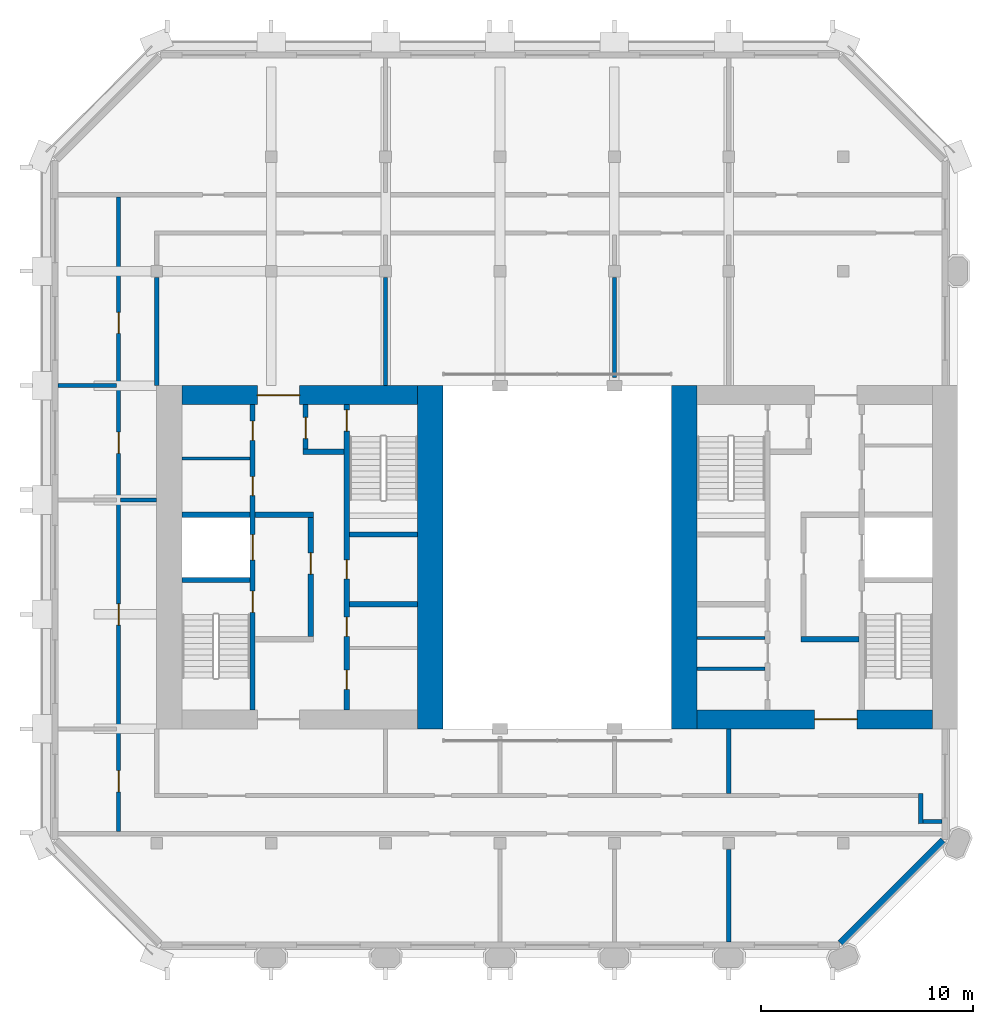
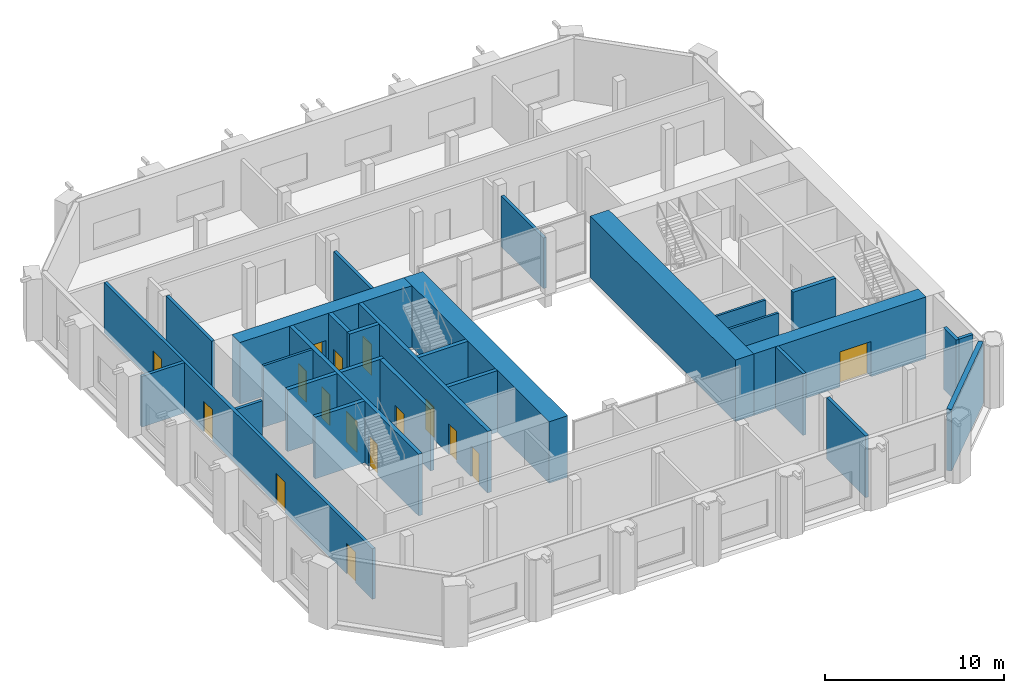
# One storey, part 7 of 12: 29 walls, 16 doors, 16 openings.
"""IFC4 building model written with IfcOpenShell, lengths in metres."""

from ifc_helpers import new_model, si_unit, direction, frame, frame_2d, origin, place, context, subcontext, project, spatial, polyline, rectangle, outline, extrude, material, layer, layer_set, type_object, element, fill, save


model = new_model("IFC4")

# Units and contexts
model_context = context("Model", 3, precision=1e-05, world=origin(), true_north=direction((0.0, 1.0)))
body_context = subcontext(model_context, "Body", "Model", "MODEL_VIEW")
ifc_project = project(units=[si_unit("LENGTHUNIT", "METRE"), si_unit("AREAUNIT", "SQUARE_METRE"), si_unit("VOLUMEUNIT", "CUBIC_METRE"), si_unit("PLANEANGLEUNIT", "RADIAN"), si_unit("MASSUNIT", "GRAM", prefix="KILO")], contexts=[model_context])

# Site, building, storey
site_placement = place(None, origin())
site = spatial("IfcSite", under=ifc_project, at=site_placement, CompositionType="ELEMENT")
building_placement = place(site_placement, origin())
building = spatial("IfcBuilding", under=site, at=building_placement, Name="Tabaq Tower and Sports Hall", CompositionType="ELEMENT")
storey_placement = place(building_placement, frame((0.0, 0.0, 317.199951171875)))
storey = spatial("IfcBuildingStorey", under=building, at=storey_placement, Name="L79", CompositionType="ELEMENT", Elevation=317.199951171875)

# Walls
ifc_material_1 = material(Name="Blockwork", Category="masonry")
ifc_layer_1 = layer(ifc_material_1, 0.14990234375)
ifc_layer_set_1 = layer_set([ifc_layer_1], Name="Core room partition 150 Blockwork")
wall_type_1 = type_object("IfcWallType", Name="Core room partition 150 Blockwork", PredefinedType="PARTITIONING", material=ifc_layer_set_1)
wall_1_placement = place(storey_placement, frame((6.60009765625, 28.962890625, 0.0), z_axis=(0.0, 0.0, 1.0), x_axis=(1.0, 0.0, 0.0)))
element("IfcWall", 1, at=wall_1_placement, inside=storey, type_object=wall_type_1, Name="Core room partition W L79", PredefinedType="PARTITIONING", context=body_context, shape_type="SweptSolid", body=[
    extrude(rectangle(XDim=3.199951171875, YDim=0.14990234375, at=frame_2d((1.60009765625, 0.0))), origin(), (0.0, 0.0, 1.0), 4.199951171875),
])
for number, where, z_axis, x_axis, name in (
    (2, (30.89990234375, 19.0400390625, 0.0), (0.0, 0.0, 1.0), (1.0, 0.0, 0.0), "Core room partition E L79"),
    (3, (30.89990234375, 20.4951171875, 0.0), (0.0, 0.0, 1.0), (1.0, 0.0, 0.0), "Core room partition E L79"),
):
    element("IfcWall", number, at=place(storey_placement, frame(where, z_axis=z_axis, x_axis=x_axis)), inside=storey, type_object=wall_type_1, Name=name, PredefinedType="PARTITIONING", context=body_context, shape_type="SweptSolid", body=[
        extrude(rectangle(XDim=3.2001953125, YDim=0.14990234375, at=frame_2d((1.60009765625, 0.0))), origin(), (0.0, 0.0, 1.0), 4.199951171875),
    ])
ifc_material_2 = material(Name="Concrete C40/50", Category="concrete")
ifc_layer_2 = layer(ifc_material_2, 1.199951171875)
ifc_layer_set_2 = layer_set([ifc_layer_2], Name="Core wall 1200 Concrete C40/50")
wall_type_2 = type_object("IfcWallType", Name="Core wall 1200 Concrete C40/50", PredefinedType="SOLIDWALL", material=ifc_layer_set_2)
for number, where, z_axis, x_axis, name in (
    (4, (18.300048828125, 32.39990234375, 0.0), (0.0, 0.0, 1.0), (0.0, -1.0, 0.0), "Core wall W L79"),
    (5, (30.300048828125, 16.199951171875, 0.0), (0.0, 0.0, 1.0), (0.0, 1.0, 0.0), "Core wall E L79"),
):
    element("IfcWall", number, at=place(storey_placement, frame(where, z_axis=z_axis, x_axis=x_axis)), inside=storey, type_object=wall_type_2, Name=name, PredefinedType="SOLIDWALL", context=body_context, shape_type="SweptSolid", body=[
        extrude(rectangle(XDim=16.199951171875, YDim=1.199951171875, at=frame_2d((8.10009765625, 0.0))), origin(), (0.0, 0.0, 1.0), 4.199951171875),
    ])

# Wall, opening, door
ifc_material_3 = material(Name="Concrete C40/50", Category="concrete")
ifc_layer_3 = layer(ifc_material_3, 0.89990234375)
ifc_layer_set_3 = layer_set([ifc_layer_3], Name="Core wall 900 Concrete C40/50")
wall_type_3 = type_object("IfcWallType", Name="Core wall 900 Concrete C40/50", PredefinedType="SOLIDWALL", material=ifc_layer_set_3)
wall_2_placement = place(storey_placement, frame((6.60009765625, 31.949951171875, 0.0), z_axis=(0.0, 0.0, 1.0), x_axis=(1.0, 0.0, 0.0)))
wall_2 = element("IfcWall", 6, at=wall_2_placement, inside=storey, type_object=wall_type_3, Name="Core wall W L79", PredefinedType="SOLIDWALL", context=body_context, shape_type="SweptSolid", body=[
    extrude(rectangle(XDim=11.099853515625, YDim=0.89990234375, at=frame_2d((5.5498046875, 0.0))), origin(), (0.0, 0.0, 1.0), 4.199951171875),
])
opening_1_placement = place(wall_2_placement, frame((3.550048828125, 0.0, 0.0)))
opening_1 = element("IfcOpeningElement", 7, at=opening_1_placement, cuts=wall_2, Name="Opening PD-WL79-02", PredefinedType="OPENING", context=body_context, shape_type="SweptSolid", body=[
    extrude(rectangle(XDim=2.0, YDim=2.39990234375, at=frame_2d((1.0, 1.199951171875))), frame((0.0, 0.449951171875, 0.0), z_axis=(0.0, -1.0, 0.0), x_axis=(1.0, 0.0, 0.0)), (0.0, 0.0, 1.0), 0.89990234375),
])
ifc_material_4 = material(Name="Steel fire door", Category="steel")
door_type_1 = type_object("IfcDoorType", Name="Core entrance door 2000", OperationType="DOUBLE_DOOR_SINGLE_SWING", PredefinedType="DOOR", material=ifc_material_4)
door_1_placement = place(opening_1_placement, origin())
door_1 = element("IfcDoor", 8, at=door_1_placement, inside=storey, type_object=door_type_1, Name="Core entrance north W L79", OperationType="DOUBLE_DOOR_SINGLE_SWING", OverallHeight=2.39990234375, OverallWidth=2.0, PredefinedType="DOOR", context=body_context, shape_type="SweptSolid", body=[
    extrude(rectangle(XDim=2.0, YDim=2.39990234375, at=frame_2d((1.0, 1.199951171875))), frame((0.0, 0.02490234375, 0.0), z_axis=(0.0, -1.0, 0.0), x_axis=(1.0, 0.0, 0.0)), (0.0, 0.0, 1.0), 0.050048828125),
])
fill(opening_1, door_1)

wall_3_placement = place(storey_placement, frame((42.0, 16.64990234375, 0.0), z_axis=(0.0, 0.0, 1.0), x_axis=(-1.0, 0.0, 0.0)))
wall_3 = element("IfcWall", 9, at=wall_3_placement, inside=storey, type_object=wall_type_3, Name="Core wall E L79", PredefinedType="SOLIDWALL", context=body_context, shape_type="SweptSolid", body=[
    extrude(rectangle(XDim=11.10009765625, YDim=0.89990234375, at=frame_2d((5.550048828125, 0.0))), origin(), (0.0, 0.0, 1.0), 4.199951171875),
])
opening_2_placement = place(wall_3_placement, frame((3.550048828125, 0.0, 0.0)))
opening_2 = element("IfcOpeningElement", 10, at=opening_2_placement, cuts=wall_3, Name="Opening PD-EL79-01", PredefinedType="OPENING", context=body_context, shape_type="SweptSolid", body=[
    extrude(rectangle(XDim=2.0, YDim=2.39990234375, at=frame_2d((1.0, 1.199951171875))), frame((0.0, 0.449951171875, 0.0), z_axis=(0.0, -1.0, 0.0), x_axis=(1.0, 0.0, 0.0)), (0.0, 0.0, 1.0), 0.89990234375),
])
door_2_placement = place(opening_2_placement, origin())
door_2 = element("IfcDoor", 11, at=door_2_placement, inside=storey, type_object=door_type_1, Name="Core entrance south E L79", OperationType="DOUBLE_DOOR_SINGLE_SWING", OverallHeight=2.39990234375, OverallWidth=2.0, PredefinedType="DOOR", context=body_context, shape_type="SweptSolid", body=[
    extrude(rectangle(XDim=2.0, YDim=2.39990234375, at=frame_2d((1.0, 1.199951171875))), frame((0.0, 0.02490234375, 0.0), z_axis=(0.0, -1.0, 0.0), x_axis=(1.0, 0.0, 0.0)), (0.0, 0.0, 1.0), 0.050048828125),
])
fill(opening_2, door_2)

# Walls
ifc_material_5 = material(Name="Blockwork", Category="masonry")
ifc_layer_4 = layer(ifc_material_5, 0.199951171875)
ifc_layer_set_4 = layer_set([ifc_layer_4], Name="Fire compartment wall 200 Blockwork")
wall_type_4 = type_object("IfcWallType", Name="Fire compartment wall 200 Blockwork", PredefinedType="PARTITIONING", material=ifc_layer_set_4)
wall_4_placement = place(storey_placement, frame((0.7509765625, 32.39990234375, 0.0), z_axis=(0.0, 0.0, 1.0), x_axis=(1.0, 0.0, 0.0)))
element("IfcWall", 12, at=wall_4_placement, inside=storey, type_object=wall_type_4, Name="Compartment wall L79", PredefinedType="PARTITIONING", context=body_context, shape_type="SweptSolid", body=[
    extrude(rectangle(XDim=2.7490234375, YDim=0.199951171875, at=frame_2d((1.37451171875, 0.0))), origin(), (0.0, 0.0, 1.0), 3.449951171875),
])
wall_5_placement = place(storey_placement, frame((27.0, 37.5048828125, 0.0), z_axis=(0.0, 0.0, 1.0), x_axis=(0.0, -1.0, 0.0)))
element("IfcWall", 13, at=wall_5_placement, inside=storey, type_object=wall_type_4, Name="Compartment wall L79", PredefinedType="PARTITIONING", context=body_context, shape_type="SweptSolid", body=[
    extrude(rectangle(XDim=4.73486328125, YDim=0.199951171875, at=frame_2d((2.367431640625, 0.0))), origin(), (0.0, 0.0, 1.0), 3.449951171875),
])
wall_6_placement = place(storey_placement, frame((16.199951171875, 37.5048828125, 0.0), z_axis=(0.0, 0.0, 1.0), x_axis=(0.0, -1.0, 0.0)))
element("IfcWall", 14, at=wall_6_placement, inside=storey, type_object=wall_type_4, Name="Compartment wall L79", PredefinedType="PARTITIONING", context=body_context, shape_type="SweptSolid", body=[
    extrude(rectangle(XDim=5.10498046875, YDim=0.199951171875, at=frame_2d((2.552490234375, 0.0))), origin(), (0.0, 0.0, 1.0), 3.449951171875),
])
wall_7_placement = place(storey_placement, frame((5.39990234375, 37.5048828125, 0.0), z_axis=(0.0, 0.0, 1.0), x_axis=(0.0, -1.0, 0.0)))
element("IfcWall", 15, at=wall_7_placement, inside=storey, type_object=wall_type_4, Name="Compartment wall L79", PredefinedType="PARTITIONING", context=body_context, shape_type="SweptSolid", body=[
    extrude(rectangle(XDim=5.10498046875, YDim=0.199951171875, at=frame_2d((2.552490234375, 0.0))), origin(), (0.0, 0.0, 1.0), 4.199951171875),
])
wall_8_placement = place(storey_placement, frame((3.699951171875, 27.0, 0.0), z_axis=(0.0, 0.0, 1.0), x_axis=(1.0, 0.0, 0.0)))
element("IfcWall", 16, at=wall_8_placement, inside=storey, type_object=wall_type_4, Name="Compartment wall L79", PredefinedType="PARTITIONING", context=body_context, shape_type="SweptSolid", body=[
    extrude(rectangle(XDim=1.699951171875, YDim=0.199951171875, at=frame_2d((0.85009765625, 0.0))), origin(), (0.0, 0.0, 1.0), 3.449951171875),
])
wall_9_placement = place(storey_placement, frame((32.39990234375, 10.5048828125, 0.0), z_axis=(0.0, 0.0, 1.0), x_axis=(0.0, -1.0, 0.0)))
element("IfcWall", 17, at=wall_9_placement, inside=storey, type_object=wall_type_4, Name="Compartment wall L79", PredefinedType="PARTITIONING", context=body_context, shape_type="SweptSolid", body=[
    extrude(rectangle(XDim=4.35400390625, YDim=0.199951171875, at=frame_2d((2.177001953125, 0.0))), origin(), (0.0, 0.0, 1.0), 4.199951171875),
])
wall_10_placement = place(storey_placement, frame((32.39990234375, 13.14990234375, 0.0), z_axis=(0.0, 0.0, 1.0), x_axis=(0.0, 1.0, 0.0)))
element("IfcWall", 18, at=wall_10_placement, inside=storey, type_object=wall_type_4, Name="Compartment wall L79", PredefinedType="PARTITIONING", context=body_context, shape_type="SweptSolid", body=[
    extrude(rectangle(XDim=3.050048828125, YDim=0.199951171875, at=frame_2d((1.52490234375, 0.0))), origin(), (0.0, 0.0, 1.0), 4.199951171875),
])

# Wall, openings, doors
wall_11_placement = place(storey_placement, frame((3.60009765625, 11.35009765625, 0.0), z_axis=(0.0, 0.0, 1.0), x_axis=(0.0, 1.0, 0.0)))
wall_11 = element("IfcWall", 19, at=wall_11_placement, inside=storey, type_object=wall_type_4, Name="Compartment wall L79", PredefinedType="PARTITIONING", context=body_context, shape_type="SweptSolid", body=[
    extrude(rectangle(XDim=29.949951171875, YDim=0.199951171875, at=frame_2d((14.97509765625, 0.0))), origin(), (0.0, 0.0, 1.0), 3.449951171875),
])
opening_3_placement = place(wall_11_placement, frame((23.508056640625, 0.0, 0.0)))
opening_3 = element("IfcOpeningElement", 20, at=opening_3_placement, cuts=wall_11, Name="Opening L79-001", PredefinedType="OPENING", context=body_context, shape_type="SweptSolid", body=[
    extrude(rectangle(XDim=1.0, YDim=2.10009765625, at=frame_2d((0.5, 1.050048828125))), frame((0.0, 0.10009765625, 0.0), z_axis=(0.0, -1.0, 0.0), x_axis=(1.0, 0.0, 0.0)), (0.0, 0.0, 1.0), 0.199951171875),
])
opening_4_placement = place(wall_11_placement, frame((17.85009765625, 0.0, 0.0)))
opening_4 = element("IfcOpeningElement", 21, at=opening_4_placement, cuts=wall_11, Name="Opening L79-007", PredefinedType="OPENING", context=body_context, shape_type="SweptSolid", body=[
    extrude(rectangle(XDim=1.0, YDim=2.10009765625, at=frame_2d((0.5, 1.050048828125))), frame((0.0, 0.10009765625, 0.0), z_axis=(0.0, -1.0, 0.0), x_axis=(1.0, 0.0, 0.0)), (0.0, 0.0, 1.0), 0.199951171875),
])
opening_5_placement = place(wall_11_placement, frame((1.875, 0.0, 0.0)))
opening_5 = element("IfcOpeningElement", 22, at=opening_5_placement, cuts=wall_11, Name="Opening L79-008", PredefinedType="OPENING", context=body_context, shape_type="SweptSolid", body=[
    extrude(rectangle(XDim=1.0, YDim=2.10009765625, at=frame_2d((0.5, 1.050048828125))), frame((0.0, 0.10009765625, 0.0), z_axis=(0.0, -1.0, 0.0), x_axis=(1.0, 0.0, 0.0)), (0.0, 0.0, 1.0), 0.199951171875),
])
opening_6_placement = place(wall_11_placement, frame((9.75, 0.0, 0.0)))
opening_6 = element("IfcOpeningElement", 23, at=opening_6_placement, cuts=wall_11, Name="Opening L79-016", PredefinedType="OPENING", context=body_context, shape_type="SweptSolid", body=[
    extrude(rectangle(XDim=1.0, YDim=2.10009765625, at=frame_2d((0.5, 1.050048828125))), frame((0.0, 0.10009765625, 0.0), z_axis=(0.0, -1.0, 0.0), x_axis=(1.0, 0.0, 0.0)), (0.0, 0.0, 1.0), 0.199951171875),
])
ifc_material_6 = material(Name="Steel fire door", Category="steel")
door_type_2 = type_object("IfcDoorType", Name="Plant room door 1000 left hand", OperationType="SINGLE_SWING_LEFT", PredefinedType="DOOR", material=ifc_material_6)
door_3_placement = place(opening_3_placement, origin())
door_3 = element("IfcDoor", 24, at=door_3_placement, inside=storey, type_object=door_type_2, Name="Plant room door L79-001", OperationType="SINGLE_SWING_LEFT", OverallHeight=2.10009765625, OverallWidth=1.0, PredefinedType="DOOR", context=body_context, shape_type="SweptSolid", body=[
    extrude(rectangle(XDim=1.0, YDim=2.10009765625, at=frame_2d((0.5, 1.050048828125))), frame((0.0, 0.02490234375, 0.0), z_axis=(0.0, -1.0, 0.0), x_axis=(1.0, 0.0, 0.0)), (0.0, 0.0, 1.0), 0.050048828125),
])
fill(opening_3, door_3)
door_4_placement = place(opening_5_placement, origin())
door_4 = element("IfcDoor", 25, at=door_4_placement, inside=storey, type_object=door_type_2, Name="Plant room door L79-008", OperationType="SINGLE_SWING_LEFT", OverallHeight=2.10009765625, OverallWidth=1.0, PredefinedType="DOOR", context=body_context, shape_type="SweptSolid", body=[
    extrude(rectangle(XDim=1.0, YDim=2.10009765625, at=frame_2d((0.5, 1.050048828125))), frame((0.0, 0.02490234375, 0.0), z_axis=(0.0, -1.0, 0.0), x_axis=(1.0, 0.0, 0.0)), (0.0, 0.0, 1.0), 0.050048828125),
])
fill(opening_5, door_4)
ifc_material_7 = material(Name="Steel fire door", Category="steel")
door_type_3 = type_object("IfcDoorType", Name="Plant room door 1000 right hand", OperationType="SINGLE_SWING_RIGHT", PredefinedType="DOOR", material=ifc_material_7)
door_5_placement = place(opening_4_placement, origin())
door_5 = element("IfcDoor", 26, at=door_5_placement, inside=storey, type_object=door_type_3, Name="Plant room door L79-007", OperationType="SINGLE_SWING_RIGHT", OverallHeight=2.10009765625, OverallWidth=1.0, PredefinedType="DOOR", context=body_context, shape_type="SweptSolid", body=[
    extrude(rectangle(XDim=1.0, YDim=2.10009765625, at=frame_2d((0.5, 1.050048828125))), frame((0.0, 0.02490234375, 0.0), z_axis=(0.0, -1.0, 0.0), x_axis=(1.0, 0.0, 0.0)), (0.0, 0.0, 1.0), 0.050048828125),
])
fill(opening_4, door_5)
door_6_placement = place(opening_6_placement, origin())
door_6 = element("IfcDoor", 27, at=door_6_placement, inside=storey, type_object=door_type_3, Name="Plant room door L79-016", OperationType="SINGLE_SWING_RIGHT", OverallHeight=2.10009765625, OverallWidth=1.0, PredefinedType="DOOR", context=body_context, shape_type="SweptSolid", body=[
    extrude(rectangle(XDim=1.0, YDim=2.10009765625, at=frame_2d((0.5, 1.050048828125))), frame((0.0, 0.02490234375, 0.0), z_axis=(0.0, -1.0, 0.0), x_axis=(1.0, 0.0, 0.0)), (0.0, 0.0, 1.0), 0.050048828125),
])
fill(opening_6, door_6)

# Walls
wall_12_placement = place(storey_placement, frame((41.448974609375, 13.14990234375, 0.0), z_axis=(0.0, 0.0, 1.0), x_axis=(0.00085543168, -0.999999634118, 0.0)))
element("IfcWall", 28, at=wall_12_placement, inside=storey, type_object=wall_type_4, Name="Compartment wall L79", PredefinedType="PARTITIONING", context=body_context, shape_type="SweptSolid", body=[
    extrude(rectangle(XDim=1.427001953125, YDim=0.199951171875, at=frame_2d((0.71337890625, 0.0))), origin(), (0.0, 0.0, 1.0), 4.199951171875),
])
wall_13_placement = place(storey_placement, frame((41.550048828125, 11.822998046875, 0.0), z_axis=(0.0, 0.0, 1.0), x_axis=(1.0, 0.0, 0.0)))
element("IfcWall", 29, at=wall_13_placement, inside=storey, type_object=wall_type_4, Name="Compartment wall L79", PredefinedType="PARTITIONING", context=body_context, shape_type="SweptSolid", body=[
    extrude(rectangle(XDim=0.89990234375, YDim=0.199951171875, at=frame_2d((0.449951171875, 0.0))), origin(), (0.0, 0.0, 1.0), 4.199951171875),
])

# Wall, openings, doors
ifc_material_8 = material(Name="Concrete C40/50", Category="concrete")
ifc_layer_5 = layer(ifc_material_8, 0.25)
ifc_layer_set_5 = layer_set([ifc_layer_5], Name="Shaft and stair wall 250 Concrete C40/50")
wall_type_5 = type_object("IfcWallType", Name="Shaft and stair wall 250 Concrete C40/50", PredefinedType="SOLIDWALL", material=ifc_layer_set_5)
wall_14_placement = place(storey_placement, frame((9.925048828125, 17.10009765625, 0.0), z_axis=(0.0, 0.0, 1.0), x_axis=(0.0, 1.0, 0.0)))
wall_14 = element("IfcWall", 30, at=wall_14_placement, inside=storey, type_object=wall_type_5, Name="Shaft wall W L79", PredefinedType="SOLIDWALL", context=body_context, shape_type="SweptSolid", body=[
    extrude(rectangle(XDim=14.39990234375, YDim=0.25, at=frame_2d((7.199951171875, 0.0))), origin(), (0.0, 0.0, 1.0), 4.199951171875),
])
opening_7_placement = place(wall_14_placement, frame((4.60009765625, 0.0, 0.0)))
opening_7 = element("IfcOpeningElement", 31, at=opening_7_placement, cuts=wall_14, Name="Opening SD-WL79-03", PredefinedType="OPENING", context=body_context, shape_type="SweptSolid", body=[
    extrude(rectangle(XDim=1.0, YDim=2.10009765625, at=frame_2d((0.5, 1.050048828125))), frame((0.0, 0.125, 0.0), z_axis=(0.0, -1.0, 0.0), x_axis=(1.0, 0.0, 0.0)), (0.0, 0.0, 1.0), 0.25),
])
opening_8_placement = place(wall_14_placement, frame((7.0625, 0.0, 0.0)))
opening_8 = element("IfcOpeningElement", 32, at=opening_8_placement, cuts=wall_14, Name="Opening LD-FF1-L79", PredefinedType="OPENING", context=body_context, shape_type="SweptSolid", body=[
    extrude(rectangle(XDim=1.199951171875, YDim=2.10009765625, at=frame_2d((0.60009765625, 1.050048828125))), frame((0.0, 0.125, 0.0), z_axis=(0.0, -1.0, 0.0), x_axis=(1.0, 0.0, 0.0)), (0.0, 0.0, 1.0), 0.25),
])
opening_9_placement = place(wall_14_placement, frame((10.1064453125, 0.0, 0.0)))
opening_9 = element("IfcOpeningElement", 33, at=opening_9_placement, cuts=wall_14, Name="Opening RD-WL79-08", PredefinedType="OPENING", context=body_context, shape_type="SweptSolid", body=[
    extrude(rectangle(XDim=0.89990234375, YDim=2.10009765625, at=frame_2d((0.449951171875, 1.050048828125))), frame((0.0, 0.125, 0.0), z_axis=(0.0, -1.0, 0.0), x_axis=(1.0, 0.0, 0.0)), (0.0, 0.0, 1.0), 0.25),
])
opening_10_placement = place(wall_14_placement, frame((12.718994140625, 0.0, 0.0)))
opening_10 = element("IfcOpeningElement", 34, at=opening_10_placement, cuts=wall_14, Name="Opening RD-WL79-09", PredefinedType="OPENING", context=body_context, shape_type="SweptSolid", body=[
    extrude(rectangle(XDim=0.89990234375, YDim=2.10009765625, at=frame_2d((0.449951171875, 1.050048828125))), frame((0.0, 0.125, 0.0), z_axis=(0.0, -1.0, 0.0), x_axis=(1.0, 0.0, 0.0)), (0.0, 0.0, 1.0), 0.25),
])
ifc_material_9 = material(Name="Steel fire door", Category="steel")
door_type_4 = type_object("IfcDoorType", Name="Core room door 900", OperationType="SINGLE_SWING_LEFT", PredefinedType="DOOR", material=ifc_material_9)
door_7_placement = place(opening_9_placement, origin())
door_7 = element("IfcDoor", 35, at=door_7_placement, inside=storey, type_object=door_type_4, Name="Door Store Room W L79", OperationType="SINGLE_SWING_LEFT", OverallHeight=2.10009765625, OverallWidth=0.89990234375, PredefinedType="DOOR", context=body_context, shape_type="SweptSolid", body=[
    extrude(rectangle(XDim=0.89990234375, YDim=2.10009765625, at=frame_2d((0.449951171875, 1.050048828125))), frame((0.0, 0.02490234375, 0.0), z_axis=(0.0, -1.0, 0.0), x_axis=(1.0, 0.0, 0.0)), (0.0, 0.0, 1.0), 0.050048828125),
])
fill(opening_9, door_7)
door_8_placement = place(opening_10_placement, origin())
door_8 = element("IfcDoor", 36, at=door_8_placement, inside=storey, type_object=door_type_4, Name="Door Riser Room W L79", OperationType="SINGLE_SWING_LEFT", OverallHeight=2.10009765625, OverallWidth=0.89990234375, PredefinedType="DOOR", context=body_context, shape_type="SweptSolid", body=[
    extrude(rectangle(XDim=0.89990234375, YDim=2.10009765625, at=frame_2d((0.449951171875, 1.050048828125))), frame((0.0, 0.02490234375, 0.0), z_axis=(0.0, -1.0, 0.0), x_axis=(1.0, 0.0, 0.0)), (0.0, 0.0, 1.0), 0.050048828125),
])
fill(opening_10, door_8)
ifc_material_10 = material(Name="Stainless steel", Category="steel")
door_type_5 = type_object("IfcDoorType", Name="Lift landing door 1200", OperationType="DOUBLE_DOOR_SLIDING", PredefinedType="DOOR", material=ifc_material_10)
door_9_placement = place(opening_8_placement, origin())
door_9 = element("IfcDoor", 37, at=door_9_placement, inside=storey, type_object=door_type_5, Name="Lift landing door FF1 W L79", OperationType="DOUBLE_DOOR_SLIDING", OverallHeight=2.10009765625, OverallWidth=1.199951171875, PredefinedType="DOOR", context=body_context, shape_type="SweptSolid", body=[
    extrude(rectangle(XDim=1.199951171875, YDim=2.10009765625, at=frame_2d((0.60009765625, 1.050048828125))), frame((0.0, 0.02490234375, 0.0), z_axis=(0.0, -1.0, 0.0), x_axis=(1.0, 0.0, 0.0)), (0.0, 0.0, 1.0), 0.050048828125),
])
fill(opening_8, door_9)
ifc_material_11 = material(Name="Steel fire door", Category="steel")
door_type_6 = type_object("IfcDoorType", Name="Stair door 1000", OperationType="SINGLE_SWING_LEFT", PredefinedType="DOOR", material=ifc_material_11)
door_10_placement = place(opening_7_placement, origin())
door_10 = element("IfcDoor", 38, at=door_10_placement, inside=storey, type_object=door_type_6, Name="Stair door ST1 W L79", OperationType="SINGLE_SWING_LEFT", OverallHeight=2.10009765625, OverallWidth=1.0, PredefinedType="DOOR", context=body_context, shape_type="SweptSolid", body=[
    extrude(rectangle(XDim=1.0, YDim=2.10009765625, at=frame_2d((0.5, 1.050048828125))), frame((0.0, 0.02490234375, 0.0), z_axis=(0.0, -1.0, 0.0), x_axis=(1.0, 0.0, 0.0)), (0.0, 0.0, 1.0), 0.050048828125),
])
fill(opening_7, door_10)

wall_15_placement = place(storey_placement, frame((14.375, 17.10009765625, 0.0), z_axis=(0.0, 0.0, 1.0), x_axis=(0.0, 1.0, 0.0)))
wall_15 = element("IfcWall", 39, at=wall_15_placement, inside=storey, type_object=wall_type_5, Name="Shaft wall W L79", PredefinedType="SOLIDWALL", context=body_context, shape_type="SweptSolid", body=[
    extrude(rectangle(XDim=14.39990234375, YDim=0.25, at=frame_2d((7.199951171875, 0.0))), origin(), (0.0, 0.0, 1.0), 4.199951171875),
])
opening_11_placement = place(wall_15_placement, frame((13.14990234375, 0.0, 0.0)))
opening_11 = element("IfcOpeningElement", 40, at=opening_11_placement, cuts=wall_15, Name="Opening SD-WL79-05", PredefinedType="OPENING", context=body_context, shape_type="SweptSolid", body=[
    extrude(rectangle(XDim=1.0, YDim=2.10009765625, at=frame_2d((0.5, 1.050048828125))), frame((0.0, 0.125, 0.0), z_axis=(0.0, -1.0, 0.0), x_axis=(1.0, 0.0, 0.0)), (0.0, 0.0, 1.0), 0.25),
])
opening_12_placement = place(wall_15_placement, frame((0.967529296875, 0.0, 0.0)))
opening_12 = element("IfcOpeningElement", 41, at=opening_12_placement, cuts=wall_15, Name="Opening RD-WL79-10", PredefinedType="OPENING", context=body_context, shape_type="SweptSolid", body=[
    extrude(rectangle(XDim=0.89990234375, YDim=2.10009765625, at=frame_2d((0.449951171875, 1.050048828125))), frame((0.0, 0.125, 0.0), z_axis=(0.0, -1.0, 0.0), x_axis=(1.0, 0.0, 0.0)), (0.0, 0.0, 1.0), 0.25),
])
opening_13_placement = place(wall_15_placement, frame((3.467529296875, 0.0, 0.0)))
opening_13 = element("IfcOpeningElement", 42, at=opening_13_placement, cuts=wall_15, Name="Opening RD-WL79-11", PredefinedType="OPENING", context=body_context, shape_type="SweptSolid", body=[
    extrude(rectangle(XDim=0.89990234375, YDim=2.10009765625, at=frame_2d((0.449951171875, 1.050048828125))), frame((0.0, 0.125, 0.0), z_axis=(0.0, -1.0, 0.0), x_axis=(1.0, 0.0, 0.0)), (0.0, 0.0, 1.0), 0.25),
])
opening_14_placement = place(wall_15_placement, frame((6.175048828125, 0.0, 0.0)))
opening_14 = element("IfcOpeningElement", 43, at=opening_14_placement, cuts=wall_15, Name="Opening RD-WL79-12", PredefinedType="OPENING", context=body_context, shape_type="SweptSolid", body=[
    extrude(rectangle(XDim=0.89990234375, YDim=2.10009765625, at=frame_2d((0.449951171875, 1.050048828125))), frame((0.0, 0.125, 0.0), z_axis=(0.0, -1.0, 0.0), x_axis=(1.0, 0.0, 0.0)), (0.0, 0.0, 1.0), 0.25),
])
door_11_placement = place(opening_12_placement, origin())
door_11 = element("IfcDoor", 44, at=door_11_placement, inside=storey, type_object=door_type_4, Name="Door Plant Room W L79", OperationType="SINGLE_SWING_LEFT", OverallHeight=2.10009765625, OverallWidth=0.89990234375, PredefinedType="DOOR", context=body_context, shape_type="SweptSolid", body=[
    extrude(rectangle(XDim=0.89990234375, YDim=2.10009765625, at=frame_2d((0.449951171875, 1.050048828125))), frame((0.0, 0.02490234375, 0.0), z_axis=(0.0, -1.0, 0.0), x_axis=(1.0, 0.0, 0.0)), (0.0, 0.0, 1.0), 0.050048828125),
])
fill(opening_12, door_11)
door_12_placement = place(opening_13_placement, origin())
door_12 = element("IfcDoor", 45, at=door_12_placement, inside=storey, type_object=door_type_4, Name="Door Plant Control Room W L79", OperationType="SINGLE_SWING_LEFT", OverallHeight=2.10009765625, OverallWidth=0.89990234375, PredefinedType="DOOR", context=body_context, shape_type="SweptSolid", body=[
    extrude(rectangle(XDim=0.89990234375, YDim=2.10009765625, at=frame_2d((0.449951171875, 1.050048828125))), frame((0.0, 0.02490234375, 0.0), z_axis=(0.0, -1.0, 0.0), x_axis=(1.0, 0.0, 0.0)), (0.0, 0.0, 1.0), 0.050048828125),
])
fill(opening_13, door_12)
door_13_placement = place(opening_14_placement, origin())
door_13 = element("IfcDoor", 46, at=door_13_placement, inside=storey, type_object=door_type_4, Name="Door Riser Room W L79", OperationType="SINGLE_SWING_LEFT", OverallHeight=2.10009765625, OverallWidth=0.89990234375, PredefinedType="DOOR", context=body_context, shape_type="SweptSolid", body=[
    extrude(rectangle(XDim=0.89990234375, YDim=2.10009765625, at=frame_2d((0.449951171875, 1.050048828125))), frame((0.0, 0.02490234375, 0.0), z_axis=(0.0, -1.0, 0.0), x_axis=(1.0, 0.0, 0.0)), (0.0, 0.0, 1.0), 0.050048828125),
])
fill(opening_14, door_13)
door_14_placement = place(opening_11_placement, origin())
door_14 = element("IfcDoor", 47, at=door_14_placement, inside=storey, type_object=door_type_6, Name="Stair door ST2 W L79", OperationType="SINGLE_SWING_LEFT", OverallHeight=2.10009765625, OverallWidth=1.0, PredefinedType="DOOR", context=body_context, shape_type="SweptSolid", body=[
    extrude(rectangle(XDim=1.0, YDim=2.10009765625, at=frame_2d((0.5, 1.050048828125))), frame((0.0, 0.02490234375, 0.0), z_axis=(0.0, -1.0, 0.0), x_axis=(1.0, 0.0, 0.0)), (0.0, 0.0, 1.0), 0.050048828125),
])
fill(opening_11, door_14)

# Walls
for number, where, z_axis, x_axis, name in (
    (48, (6.60009765625, 23.22509765625, 0.0), (0.0, 0.0, 1.0), (1.0, 0.0, 0.0), "Stair enclosure wall W L79"),
    (49, (14.5, 25.375, 0.0), (0.0, 0.0, 1.0), (1.0, 0.0, 0.0), "Stair enclosure wall W L79"),
    (50, (14.5, 22.074951171875, 0.0), (0.0, 0.0, 1.0), (1.0, 0.0, 0.0), "Shaft wall W L79"),
    (51, (6.60009765625, 26.300048828125, 0.0), (0.0, 0.0, 1.0), (1.0, 0.0, 0.0), "Shaft wall W L79"),
):
    element("IfcWall", number, at=place(storey_placement, frame(where, z_axis=z_axis, x_axis=x_axis)), inside=storey, type_object=wall_type_5, Name=name, PredefinedType="SOLIDWALL", context=body_context, shape_type="SweptSolid", body=[
        extrude(rectangle(XDim=3.199951171875, YDim=0.25, at=frame_2d((1.60009765625, 0.0))), origin(), (0.0, 0.0, 1.0), 4.199951171875),
    ])
wall_16_placement = place(storey_placement, frame((10.050048828125, 26.300048828125, 0.0), z_axis=(0.0, 0.0, 1.0), x_axis=(1.0, 0.0, 0.0)))
element("IfcWall", 52, at=wall_16_placement, inside=storey, type_object=wall_type_5, Name="Fire-fighting lobby wall W L79", PredefinedType="SOLIDWALL", context=body_context, shape_type="SweptSolid", body=[
    extrude(rectangle(XDim=2.75, YDim=0.25, at=frame_2d((1.375, 0.0))), origin(), (0.0, 0.0, 1.0), 4.199951171875),
])

# Wall, opening, door
wall_17_placement = place(storey_placement, frame((12.425048828125, 29.39990234375, 0.0), z_axis=(0.0, 0.0, 1.0), x_axis=(0.0, 1.0, 0.0)))
wall_17 = element("IfcWall", 53, at=wall_17_placement, inside=storey, type_object=wall_type_5, Name="Fire-fighting lobby wall W L79", PredefinedType="SOLIDWALL", context=body_context, shape_type="SweptSolid", body=[
    extrude(rectangle(XDim=2.10009765625, YDim=0.25, at=frame_2d((1.050048828125, 0.0))), origin(), (0.0, 0.0, 1.0), 4.199951171875),
])
opening_15_placement = place(wall_17_placement, frame((0.5, 0.0, 0.0)))
opening_15 = element("IfcOpeningElement", 54, at=opening_15_placement, cuts=wall_17, Name="Opening FD-WL79-06", PredefinedType="OPENING", context=body_context, shape_type="SweptSolid", body=[
    extrude(rectangle(XDim=1.0, YDim=2.10009765625, at=frame_2d((0.5, 1.050048828125))), frame((0.0, 0.125, 0.0), z_axis=(0.0, -1.0, 0.0), x_axis=(1.0, 0.0, 0.0)), (0.0, 0.0, 1.0), 0.25),
])
ifc_material_12 = material(Name="Steel fire door", Category="steel")
door_type_7 = type_object("IfcDoorType", Name="Fire-fighting lobby door 1000", OperationType="SINGLE_SWING_LEFT", PredefinedType="DOOR", material=ifc_material_12)
door_15_placement = place(opening_15_placement, origin())
door_15 = element("IfcDoor", 55, at=door_15_placement, inside=storey, type_object=door_type_7, Name="Stair lobby door W L79", OperationType="SINGLE_SWING_LEFT", OverallHeight=2.10009765625, OverallWidth=1.0, PredefinedType="DOOR", context=body_context, shape_type="SweptSolid", body=[
    extrude(rectangle(XDim=1.0, YDim=2.10009765625, at=frame_2d((0.5, 1.050048828125))), frame((0.0, 0.02490234375, 0.0), z_axis=(0.0, -1.0, 0.0), x_axis=(1.0, 0.0, 0.0)), (0.0, 0.0, 1.0), 0.050048828125),
])
fill(opening_15, door_15)

# Wall
wall_18_placement = place(storey_placement, frame((12.300048828125, 29.27490234375, 0.0), z_axis=(0.0, 0.0, 1.0), x_axis=(1.0, 0.0, 0.0)))
element("IfcWall", 56, at=wall_18_placement, inside=storey, type_object=wall_type_5, Name="Fire-fighting lobby wall W L79", PredefinedType="SOLIDWALL", context=body_context, shape_type="SweptSolid", body=[
    extrude(rectangle(XDim=1.949951171875, YDim=0.25, at=frame_2d((0.97509765625, 0.0))), origin(), (0.0, 0.0, 1.0), 4.199951171875),
])

# Wall, opening, door
wall_19_placement = place(storey_placement, frame((12.675048828125, 20.550048828125, 0.0), z_axis=(0.0, 0.0, 1.0), x_axis=(0.0, 1.0, 0.0)))
wall_19 = element("IfcWall", 57, at=wall_19_placement, inside=storey, type_object=wall_type_5, Name="Fire-fighting lobby wall W L79", PredefinedType="SOLIDWALL", context=body_context, shape_type="SweptSolid", body=[
    extrude(rectangle(XDim=5.625, YDim=0.25, at=frame_2d((2.8125, 0.0))), origin(), (0.0, 0.0, 1.0), 4.199951171875),
])
opening_16_placement = place(wall_19_placement, frame((2.949951171875, 0.0, 0.0)))
opening_16 = element("IfcOpeningElement", 58, at=opening_16_placement, cuts=wall_19, Name="Opening FD-WL79-04", PredefinedType="OPENING", context=body_context, shape_type="SweptSolid", body=[
    extrude(rectangle(XDim=1.0, YDim=2.10009765625, at=frame_2d((0.5, 1.050048828125))), frame((0.0, 0.125, 0.0), z_axis=(0.0, -1.0, 0.0), x_axis=(1.0, 0.0, 0.0)), (0.0, 0.0, 1.0), 0.25),
])
door_16_placement = place(opening_16_placement, origin())
door_16 = element("IfcDoor", 59, at=door_16_placement, inside=storey, type_object=door_type_7, Name="Fire-fighting lobby door W L79", OperationType="SINGLE_SWING_LEFT", OverallHeight=2.10009765625, OverallWidth=1.0, PredefinedType="DOOR", context=body_context, shape_type="SweptSolid", body=[
    extrude(rectangle(XDim=1.0, YDim=2.10009765625, at=frame_2d((0.5, 1.050048828125))), frame((0.0, 0.02490234375, 0.0), z_axis=(0.0, -1.0, 0.0), x_axis=(1.0, 0.0, 0.0)), (0.0, 0.0, 1.0), 0.050048828125),
])
fill(opening_16, door_16)

# Walls
wall_20_placement = place(storey_placement, frame((35.800048828125, 20.425048828125, 0.0), z_axis=(0.0, 0.0, 1.0), x_axis=(1.0, 0.0, 0.0)))
element("IfcWall", 60, at=wall_20_placement, inside=storey, type_object=wall_type_5, Name="Fire-fighting lobby wall E L79", PredefinedType="SOLIDWALL", context=body_context, shape_type="SweptSolid", body=[
    extrude(rectangle(XDim=2.75, YDim=0.25, at=frame_2d((1.375, 0.0))), origin(), (0.0, 0.0, 1.0), 4.199951171875),
])
ifc_material_13 = material(Name="White precast concrete C60/75", Category="concrete")
ifc_layer_6 = layer(ifc_material_13, 0.300048828125)
ifc_layer_set_6 = layer_set([ifc_layer_6], Name="White precast concrete C60/75 external wall 300")
wall_type_6 = type_object("IfcWallType", Name="White precast concrete C60/75 external wall 300", PredefinedType="SOLIDWALL", material=ifc_layer_set_6)
wall_21_placement = place(storey_placement, frame((37.650390625, 6.098876953125, 0.0), z_axis=(0.0, 0.0, 1.0), x_axis=(0.707106781187, 0.707106781187, 0.0)))
element("IfcWall", 61, at=wall_21_placement, inside=storey, type_object=wall_type_6, Name="External Wall L79 SE", PredefinedType="SOLIDWALL", context=body_context, shape_type="SweptSolid", body=[
    extrude(outline(polyline([(0.0, 0.0), (6.85986328125, 0.0), (6.859619140625, 4.199951171875), (6.2880859375, 4.199951171875), (5.71630859375, 4.199951171875), (5.144775390625, 4.199951171875), (4.5732421875, 4.199951171875), (4.00146484375, 4.199951171875), (3.429931640625, 4.199951171875), (2.858154296875, 4.199951171875), (2.28662109375, 4.199951171875), (1.71484375, 4.199951171875), (1.143310546875, 4.199951171875), (0.571533203125, 4.199951171875), (0.0, 4.199951171875), (0.0, 0.0)])), frame((0.0, 0.14990234375, 0.0), z_axis=(0.0, -1.0, 0.0), x_axis=(1.0, 0.0, 0.0)), (0.0, 0.0, 1.0), 0.300048828125),
])

save(model, "model.ifc")
